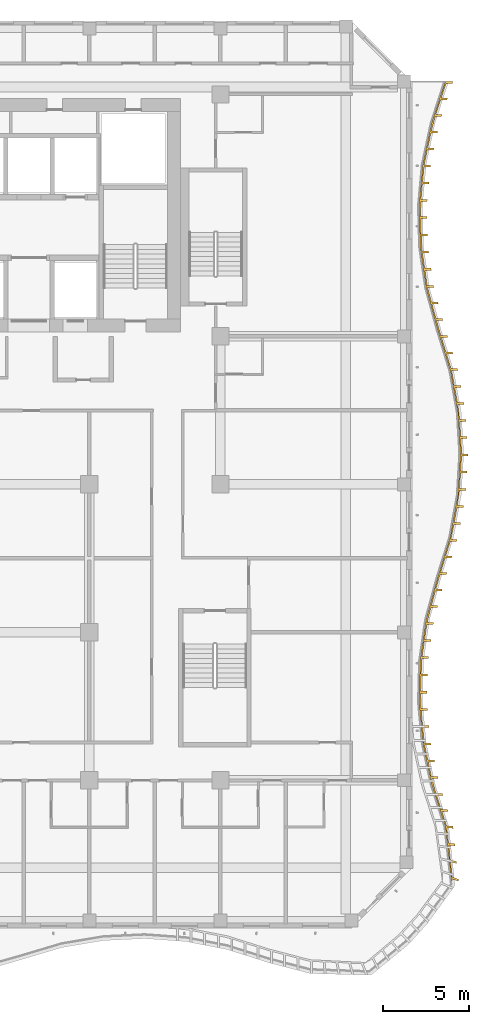
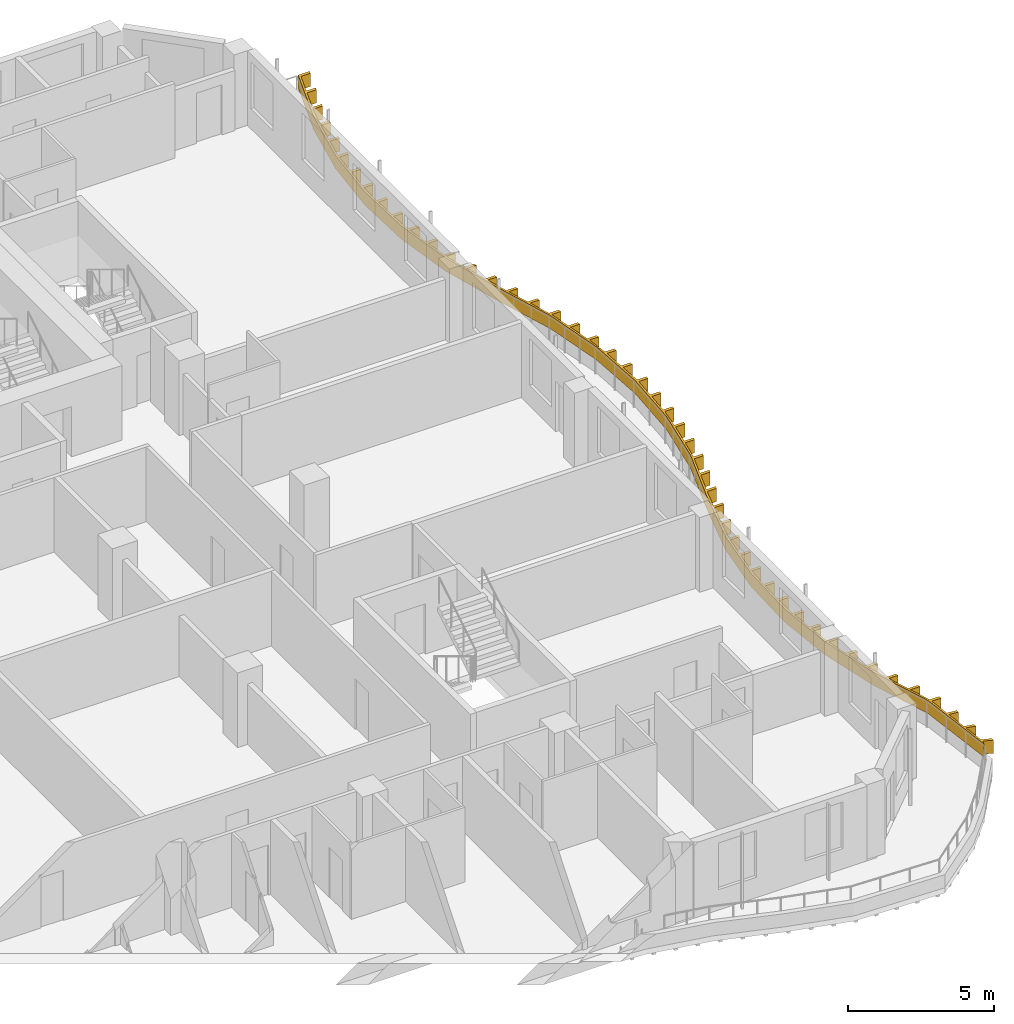
# One storey, part 20 of 23: 1 shading device.
"""IFC4 building model written with IfcOpenShell, lengths in metres."""

from ifc_helpers import new_model, si_unit, direction, frame, origin, place, context, subcontext, project, spatial, polyline, outline, extrude, source, transform, mapped, material, layer, layer_set, type_object, element, save


model = new_model("IFC4")

# Units and contexts
model_context = context("Model", 3, precision=1e-05, world=origin(), true_north=direction((0.0, 1.0)))
body_context = subcontext(model_context, "Body", "Model", "MODEL_VIEW")
ifc_project = project(units=[si_unit("LENGTHUNIT", "METRE"), si_unit("AREAUNIT", "SQUARE_METRE"), si_unit("VOLUMEUNIT", "CUBIC_METRE"), si_unit("PLANEANGLEUNIT", "RADIAN"), si_unit("MASSUNIT", "GRAM", prefix="KILO")], contexts=[model_context])

# Site, building, storey
site_placement = place(None, origin())
site = spatial("IfcSite", under=ifc_project, at=site_placement, CompositionType="ELEMENT")
building_placement = place(site_placement, origin())
building = spatial("IfcBuilding", under=site, at=building_placement, Name="Kilnfold Tower and Market Hall", CompositionType="ELEMENT")
storey_placement = place(building_placement, frame((0.0, 0.0, 203.300048828125)))
storey = spatial("IfcBuildingStorey", under=building, at=storey_placement, Name="L49", CompositionType="ELEMENT", Elevation=203.300048828125)

# Shading device
ifc_material = material(Name="Bronze anodised aluminium", Category="aluminium")
ifc_layer = layer(ifc_material, 0.550048828125)
ifc_layer_set = layer_set([ifc_layer], Name="Bronze anodised aluminium")
shading_device_type = type_object("IfcShadingDeviceType", Name="BRONZE SLAT FASCIA 550", PredefinedType="USERDEFINED", material=ifc_layer_set)
shared_shape = source(origin(), body_context, "Body", "SweptSolid", [
    extrude(outline(polyline([(33.943603515625, -23.53173828125), (33.597900390625, -23.40380859375), (33.544189453125, -23.552734375), (33.18359375, -20.355224609375), (32.404052734375, -17.96044921875), (31.884765625, -15.56591796875), (31.661376953125, -13.171142578125), (31.723388671875, -10.7763671875), (32.07421875, -8.381591796875), (32.7294921875, -5.98681640625), (33.469970703125, -3.592041015625), (33.90576171875, -1.197509765625), (34.050048828125, 1.197509765625), (33.908935546875, 3.592041015625), (33.476318359375, 5.98681640625), (32.73828125, 8.381591796875), (32.07958984375, 10.7763671875), (31.7255859375, 13.171142578125), (31.660400390625, 15.56591796875), (31.880859375, 17.96044921875), (32.396728515625, 20.355224609375), (33.175537109375, 22.75), (33.62548828125, 22.75), (33.585205078125, 22.62548828125), (33.215087890625, 22.62548828125), (32.943115234375, 21.788818359375), (33.31298828125, 21.788818359375), (33.27587890625, 21.674560546875), (32.90576171875, 21.674560546875), (32.6337890625, 20.837646484375), (33.003662109375, 20.837646484375), (32.966552734375, 20.7236328125), (32.5966796875, 20.7236328125), (32.373046875, 19.87353515625), (32.742919921875, 19.87353515625), (32.7177734375, 19.75634765625), (32.347900390625, 19.75634765625), (32.162353515625, 18.89599609375), (32.532470703125, 18.89599609375), (32.507080078125, 18.77880859375), (32.13720703125, 18.77880859375), (31.95703125, 17.917724609375), (32.326904296875, 17.917724609375), (32.31591796875, 17.798095703125), (31.946044921875, 17.798095703125), (31.865234375, 16.921875), (32.2353515625, 16.921875), (32.224365234375, 16.802490234375), (31.854248046875, 16.802490234375), (31.773681640625, 15.926025390625), (32.1435546875, 15.926025390625), (32.132568359375, 15.806640625), (31.7626953125, 15.806640625), (31.7578125, 14.927978515625), (32.127685546875, 14.927978515625), (32.131103515625, 14.807861328125), (31.760986328125, 14.807861328125), (31.78515625, 13.92822265625), (32.155029296875, 13.92822265625), (32.158203125, 13.808349609375), (31.788330078125, 13.808349609375), (31.84130859375, 12.93115234375), (32.211181640625, 12.93115234375), (32.228759765625, 12.8125), (31.858642578125, 12.8125), (31.9873046875, 11.94189453125), (32.357421875, 11.94189453125), (32.375, 11.8232421875), (32.0048828125, 11.8232421875), (32.133544921875, 10.95263671875), (32.50341796875, 10.95263671875), (32.52099609375, 10.833984375), (32.151123046875, 10.833984375), (32.37744140625, 9.98388671875), (32.74755859375, 9.98388671875), (32.779296875, 9.868408203125), (32.4091796875, 9.868408203125), (32.642578125, 9.019775390625), (33.0126953125, 9.019775390625), (33.04443359375, 8.904052734375), (32.674560546875, 8.904052734375), (32.917724609375, 8.05859375), (33.287841796875, 8.05859375), (33.322998046875, 7.94384765625), (32.953125, 7.94384765625), (33.21240234375, 7.102783203125), (33.582275390625, 7.102783203125), (33.61767578125, 6.988037109375), (33.247802734375, 6.988037109375), (33.5068359375, 6.147216796875), (33.876953125, 6.147216796875), (33.912109375, 6.032470703125), (33.542236328125, 6.032470703125), (33.7041015625, 5.16796875), (34.07421875, 5.16796875), (34.095703125, 5.0498046875), (33.7255859375, 5.0498046875), (33.882080078125, 4.183837890625), (34.251953125, 4.183837890625), (34.273193359375, 4.065673828125), (33.9033203125, 4.065673828125), (34.012451171875, 3.194091796875), (34.38232421875, 3.194091796875), (34.389404296875, 3.07421875), (34.019287109375, 3.07421875), (34.0712890625, 2.19580078125), (34.441162109375, 2.19580078125), (34.4482421875, 2.075927734375), (34.078125, 2.075927734375), (34.1298828125, 1.197509765625), (34.5, 1.197509765625), (34.492919921875, 1.077880859375), (34.122802734375, 1.077880859375), (34.06982421875, 0.19921875), (34.43994140625, 0.19921875), (34.4326171875, 0.07958984375), (34.062744140625, 0.07958984375), (34.009765625, -0.798828125), (34.3798828125, -0.798828125), (34.37255859375, -0.918701171875), (34.002685546875, -0.918701171875), (33.878173828125, -1.788330078125), (34.248291015625, -1.788330078125), (34.226806640625, -1.906494140625), (33.856689453125, -1.906494140625), (33.69921875, -2.772216796875), (34.069091796875, -2.772216796875), (34.047607421875, -2.890380859375), (33.677734375, -2.890380859375), (33.500732421875, -3.75146484375), (33.87060546875, -3.75146484375), (33.835205078125, -3.865966796875), (33.46533203125, -3.865966796875), (33.205322265625, -4.706787109375), (33.5751953125, -4.706787109375), (33.539794921875, -4.8212890625), (33.169921875, -4.8212890625), (32.909912109375, -5.662109375), (33.27978515625, -5.662109375), (33.244384765625, -5.776611328125), (32.87451171875, -5.776611328125), (32.63525390625, -6.62353515625), (33.005126953125, -6.62353515625), (32.9736328125, -6.7392578125), (32.603515625, -6.7392578125), (32.371337890625, -7.588134765625), (32.741455078125, -7.588134765625), (32.709716796875, -7.703857421875), (32.339599609375, -7.703857421875), (32.128662109375, -8.556884765625), (32.49853515625, -8.556884765625), (32.481201171875, -8.67578125), (32.111083984375, -8.67578125), (31.983642578125, -9.54638671875), (32.353759765625, -9.54638671875), (32.336181640625, -9.665283203125), (31.96630859375, -9.665283203125), (31.838623046875, -10.535888671875), (32.208740234375, -10.535888671875), (32.19140625, -10.654541015625), (31.8212890625, -10.654541015625), (31.78369140625, -11.533203125), (32.15380859375, -11.533203125), (32.150634765625, -11.653076171875), (31.78076171875, -11.653076171875), (31.7578125, -12.53271484375), (32.1279296875, -12.53271484375), (32.124755859375, -12.652587890625), (31.7548828125, -12.652587890625), (31.77490234375, -13.531005859375), (32.14501953125, -13.531005859375), (32.156005859375, -13.650390625), (31.785888671875, -13.650390625), (31.867919921875, -14.526611328125), (32.23779296875, -14.526611328125), (32.2490234375, -14.64599609375), (31.87890625, -14.64599609375), (31.960693359375, -15.522216796875), (32.330810546875, -15.522216796875), (32.35107421875, -15.640380859375), (31.98095703125, -15.640380859375), (32.16748046875, -16.50048828125), (32.53759765625, -16.50048828125), (32.56298828125, -16.61767578125), (32.19287109375, -16.61767578125), (32.37939453125, -17.477783203125), (32.74951171875, -17.477783203125), (32.77490234375, -17.594970703125), (32.40478515625, -17.594970703125), (32.640625, -18.441650390625), (33.0107421875, -18.441650390625), (33.0478515625, -18.5556640625), (32.677734375, -18.5556640625), (32.9501953125, -19.392578125), (33.3203125, -19.392578125), (33.357421875, -19.506591796875), (32.9873046875, -19.506591796875), (33.259521484375, -20.343505859375), (33.629638671875, -20.343505859375), (33.633544921875, -20.355224609375), (33.644287109375, -20.465087890625), (33.27490234375, -20.460693359375), (33.3681640625, -21.323974609375), (33.73193359375, -21.36474609375), (33.743896484375, -21.4873046875), (33.381103515625, -21.441650390625), (33.475830078125, -22.3046875), (33.831787109375, -22.386962890625), (33.84375, -22.509521484375), (33.48876953125, -22.422607421875), (33.5849609375, -23.2861328125), (33.931396484375, -23.4091796875), (33.943603515625, -23.53173828125)])), origin(), (0.0, 0.0, 1.0), 0.5498046875),
])
shading_device_placement = place(storey_placement, frame((0.0, 0.0, 0.550048828125)))
element("IfcShadingDevice", 1, at=shading_device_placement, inside=storey, type_object=shading_device_type, Name="Balcony slat fascia L49", ObjectType="SLAT", PredefinedType="USERDEFINED", context=body_context, shape_type="MappedRepresentation", body=[
    mapped(shared_shape, transform((0.0, 0.0, 0.0))),
])

save(model, "model.ifc")
